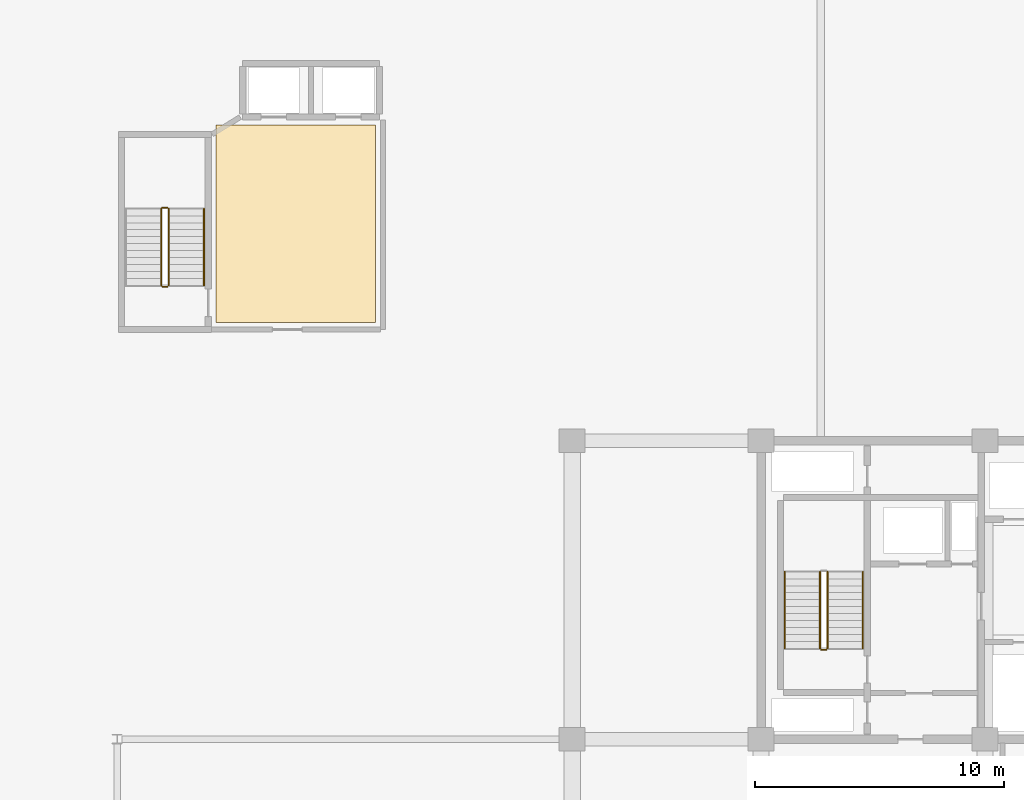
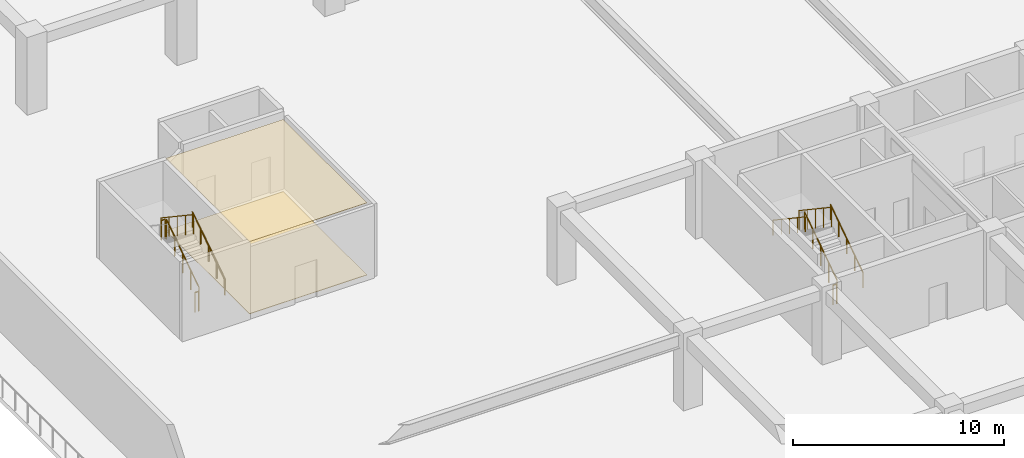
# One storey, part 33 of 43: 10 railings, 2 coverings.
"""IFC4 building model written with IfcOpenShell, lengths in metres."""

import ifcopenshell
import ifcopenshell.guid

model = None  # the IFC model being written
_history = None  # IfcOwnerHistory: only IFC2X3 demands one
_inside = {}  # id of a spatial element -> (the spatial element, [elements in it])
_under = {}  # id of a project, library or spatial element -> (it, [spatial elements below it])
_declared = {}  # id of a project -> (the project, [libraries it declares])
_typed = {}  # id of a type object -> (the type object, [elements of that type])
_made_of = {}  # id of a material, layer set ... -> (it, [elements and type objects made of it])


def new_model(schema):
    """Start an empty IFC model of exactly this schema.

    Asked for "IFC4X3", IfcOpenShell would pick the latest addendum, in which some entities
    have other attributes; the version numbers below select the first issue.
    IFC2X3 requires an IfcOwnerHistory on every rooted entity: one is made here for all.
    """
    global model, _history
    if schema == "IFC4X3":
        model = ifcopenshell.file(schema_version=(4, 3, 0, 0))
    else:
        model = ifcopenshell.file(schema=schema)
    _inside.clear()
    _under.clear()
    _declared.clear()
    _typed.clear()
    _made_of.clear()
    _history = None
    if model.schema == "IFC2X3":
        org = make("IfcOrganization", Name="unknown")
        user = make(
            "IfcPersonAndOrganization",
            ThePerson=make("IfcPerson", FamilyName="unknown"),
            TheOrganization=org,
        )
        app = make(
            "IfcApplication",
            ApplicationDeveloper=org,
            Version="unknown",
            ApplicationFullName="unknown",
            ApplicationIdentifier="unknown",
        )
        _history = make(
            "IfcOwnerHistory",
            OwningUser=user,
            OwningApplication=app,
            ChangeAction="ADDED",
            CreationDate=0,
        )
    return model


def make(cls, **values):
    """One entity of the class cls with the attributes given. An attribute that is None is left unset."""
    return model.create_entity(
        cls, **{name: value for name, value in values.items() if value is not None}
    )


def rooted(cls, **values):
    """An entity with a GlobalId (a new one), such as an element, a storey or a relation."""
    return make(cls, GlobalId=ifcopenshell.guid.new(), OwnerHistory=_history, **values)


def si_unit(unit_type, name, prefix=None):
    """IfcSIUnit, for example si_unit("LENGTHUNIT", "METRE", prefix="MILLI")."""
    return make("IfcSIUnit", UnitType=unit_type, Prefix=prefix, Name=name)


def assignment(units):
    """IfcUnitAssignment: the units of a project."""
    return None if units is None else make("IfcUnitAssignment", Units=units)


def point(xyz):
    """IfcCartesianPoint."""
    return None if xyz is None else make("IfcCartesianPoint", Coordinates=xyz)


def direction(xyz):
    """IfcDirection."""
    return None if xyz is None else make("IfcDirection", DirectionRatios=xyz)


def frame(location, z_axis=None, x_axis=None):
    """IfcAxis2Placement3D, a coordinate frame: its origin and axes. An axis left out is left unset."""
    return make(
        "IfcAxis2Placement3D",
        Location=point(location),
        Axis=direction(z_axis),
        RefDirection=direction(x_axis),
    )


def frame_2d(location, x_axis=None):
    """IfcAxis2Placement2D, a coordinate frame in the plane: its origin and x axis."""
    return make(
        "IfcAxis2Placement2D", Location=point(location), RefDirection=direction(x_axis)
    )


def origin():
    """The frame at (0, 0, 0) with its axes left unset."""
    return frame((0.0, 0.0, 0.0))


def origin_2d():
    """The frame at (0, 0) in the plane with its x axis left unset."""
    return frame_2d((0.0, 0.0))


def place(relative_to, where):
    """IfcLocalPlacement: puts the frame where relative to a parent placement (None: the world)."""
    return make(
        "IfcLocalPlacement", PlacementRelTo=relative_to, RelativePlacement=where
    )


def context(
    kind, dimensions, precision=None, world=None, true_north=None, identifier=None
):
    """IfcGeometricRepresentationContext, for example the 3D "Model" context."""
    return make(
        "IfcGeometricRepresentationContext",
        ContextIdentifier=identifier,
        ContextType=kind,
        CoordinateSpaceDimension=dimensions,
        Precision=precision,
        WorldCoordinateSystem=world,
        TrueNorth=true_north,
    )


def subcontext(parent, identifier, kind, view, scale=None):
    """IfcGeometricRepresentationSubContext, for example "Body" below "Model"."""
    return make(
        "IfcGeometricRepresentationSubContext",
        ContextIdentifier=identifier,
        ContextType=kind,
        ParentContext=parent,
        TargetScale=scale,
        TargetView=view,
    )


def project(units=None, contexts=None):
    """IfcProject with its units and contexts."""
    return rooted(
        "IfcProject",
        Name="project",
        RepresentationContexts=contexts,
        UnitsInContext=assignment(units),
    )


def spatial(cls, under=None, at=None, **own):
    """A site, building, storey or space (cls), placed at a placement, below another one or the project."""
    s = rooted(cls, ObjectPlacement=at, **own)
    if under is not None:
        _under.setdefault(under.id(), (under, []))[1].append(s)
    return s


def polyline(points):
    """IfcPolyline through the points."""
    return make("IfcPolyline", Points=[point(p) for p in points])


def profile(cls, at=None, kind="AREA", **sizes):
    """A parametric profile (cls). Its sizes go by their IFC names, for example OverallWidth=200.0."""
    return make(cls, ProfileType=kind, Position=at, **sizes)


def circle(**sizes):
    """IfcCircleProfileDef."""
    return profile("IfcCircleProfileDef", **sizes)


def outline(outer, holes=None, kind="AREA"):
    """IfcArbitraryClosedProfileDef: a profile drawn as a closed curve; with holes, ...WithVoids."""
    if holes is None:
        return make("IfcArbitraryClosedProfileDef", ProfileType=kind, OuterCurve=outer)
    return make(
        "IfcArbitraryProfileDefWithVoids",
        ProfileType=kind,
        OuterCurve=outer,
        InnerCurves=holes,
    )


def extrude(swept, where, along, depth):
    """IfcExtrudedAreaSolid: the profile swept, set in the frame where, extruded along a direction by depth."""
    return make(
        "IfcExtrudedAreaSolid",
        SweptArea=swept,
        Position=where,
        ExtrudedDirection=direction(along),
        Depth=depth,
    )


def shape(context_of_items, identifier, shape_type, items):
    """IfcShapeRepresentation: the items that make up one representation, for example the "Body"."""
    return make(
        "IfcShapeRepresentation",
        ContextOfItems=context_of_items,
        RepresentationIdentifier=identifier,
        RepresentationType=shape_type,
        Items=items,
    )


def material(Name=None, Category=None):
    """IfcMaterial."""
    return make("IfcMaterial", Name=Name, Category=Category)


def layer(
    of_material, thickness, ventilated=None, Name=None, Category=None, Priority=None
):
    """IfcMaterialLayer: one layer of a wall or slab, of a material (None: an air gap)."""
    return make(
        "IfcMaterialLayer",
        Material=of_material,
        LayerThickness=thickness,
        IsVentilated=ventilated,
        Name=Name,
        Category=Category,
        Priority=Priority,
    )


def layer_set(layers, Name=None):
    """IfcMaterialLayerSet."""
    return make("IfcMaterialLayerSet", MaterialLayers=layers, LayerSetName=Name)


def made_of(thing, what):
    """Note that an element or type object is made of a material, layer set ...; save() writes the relation."""
    if what is not None:
        _made_of.setdefault(what.id(), (what, []))[1].append(thing)
    return thing


def type_object(cls, material=None, **own):
    """A type object (cls), such as IfcWallType, which elements share."""
    return made_of(rooted(cls, **own), material)


def element(
    cls,
    number,
    at=None,
    inside=None,
    cuts=None,
    type_object=None,
    material=None,
    context=None,
    identifier="Body",
    shape_type=None,
    held_by="IfcProductDefinitionShape",
    body=None,
    shapes=None,
    **own,
):
    """One element of the class cls, such as IfcWall. Its Tag is "e" and its number.

    at: its placement. inside: the storey or other place that contains it. cuts: it is an
    opening in that element (IfcRelVoidsElement). A single representation is given by context,
    identifier, shape_type and body (its items); several are given by shapes. held_by: the class
    of the entity that holds the representations. save() writes the other relations.
    """
    e = rooted(cls, Tag="e%d" % number, ObjectPlacement=at, **own)
    if body is not None:
        shapes = [shape(context, identifier, shape_type, body)]
    if shapes is not None:
        e.Representation = make(held_by, Representations=shapes)
    if inside is not None:
        _inside.setdefault(inside.id(), (inside, []))[1].append(e)
    if cuts is not None:
        rooted(
            "IfcRelVoidsElement", RelatingBuildingElement=cuts, RelatedOpeningElement=e
        )
    if type_object is not None:
        _typed.setdefault(type_object.id(), (type_object, []))[1].append(e)
    return made_of(e, material)


def aggregate(whole, parts):
    """IfcRelAggregates: a whole, such as a stair, and the parts it consists of."""
    return rooted("IfcRelAggregates", RelatingObject=whole, RelatedObjects=parts)


def save(model, path):
    """Write the relations noted so far, then the file.

    IfcRelAggregates (storeys below a building ...), IfcRelContainedInSpatialStructure (elements
    in a storey), IfcRelDefinesByType, IfcRelAssociatesMaterial and IfcRelDeclares: one each for
    every whole, place, type object, material and project.
    """
    for whole, parts in _under.values():
        aggregate(whole, parts)
    for where, things in _inside.values():
        rooted(
            "IfcRelContainedInSpatialStructure",
            RelatedElements=things,
            RelatingStructure=where,
        )
    for kind, things in _typed.values():
        rooted("IfcRelDefinesByType", RelatedObjects=things, RelatingType=kind)
    for what, things in _made_of.values():
        rooted("IfcRelAssociatesMaterial", RelatedObjects=things, RelatingMaterial=what)
    for by, libraries in _declared.values():
        rooted("IfcRelDeclares", RelatingContext=by, RelatedDefinitions=libraries)
    model.write(path)


model = new_model("IFC4")

# Units and contexts
model_context = context("Model", 3, precision=1e-05, world=origin(), true_north=direction((0.0, 1.0)))
body_context = subcontext(model_context, "Body", "Model", "MODEL_VIEW")
ifc_project = project(units=[si_unit("LENGTHUNIT", "METRE"), si_unit("AREAUNIT", "SQUARE_METRE"), si_unit("VOLUMEUNIT", "CUBIC_METRE"), si_unit("PLANEANGLEUNIT", "RADIAN"), si_unit("MASSUNIT", "GRAM", prefix="KILO")], contexts=[model_context])

# Site, building, storey
site_placement = place(None, origin())
site = spatial("IfcSite", under=ifc_project, at=site_placement, CompositionType="ELEMENT")
building_placement = place(site_placement, origin())
building = spatial("IfcBuilding", under=site, at=building_placement, Name="Korimba Cascade Residences", CompositionType="ELEMENT")
storey_placement = place(building_placement, frame((0.0, 0.0, 10.0)))
storey = spatial("IfcBuildingStorey", under=building, at=storey_placement, Name="L02", CompositionType="ELEMENT", Elevation=10.0)

# Coverings
ifc_material_1 = material(Name="Perforated Acoustic Gypsum Ceiling", Category="gypsum")
ifc_layer_1 = layer(ifc_material_1, 0.02490234375)
ifc_layer_set_1 = layer_set([ifc_layer_1], Name="Perforated Acoustic Gypsum Ceiling")
covering_type_1 = type_object("IfcCoveringType", Name="COV-CLG-AC", PredefinedType="CEILING", material=ifc_layer_set_1)
covering_1_placement = place(storey_placement, frame((0.0, 0.0, 4.175048828125)))
element("IfcCovering", 1, at=covering_1_placement, inside=storey, type_object=covering_type_1, Name="L02 Suspended Acoustic Ceiling L02-PLW", PredefinedType="CEILING", context=body_context, shape_type="SweptSolid", body=[
    extrude(outline(polyline([(60.169921875, 35.14990234375), (66.60009765625, 35.14990234375), (66.60009765625, 43.10009765625), (60.169921875, 43.10009765625), (60.169921875, 35.14990234375)])), origin(), (0.0, 0.0, 1.0), 0.02490234375),
])
ifc_material_2 = material(Name="Honed Travertine Stone Flooring", Category="masonry")
ifc_layer_2 = layer(ifc_material_2, 0.02490234375)
ifc_layer_set_2 = layer_set([ifc_layer_2], Name="Honed Travertine Stone Flooring")
covering_type_2 = type_object("IfcCoveringType", Name="COV-FLR-STN", PredefinedType="FLOORING", material=ifc_layer_set_2)
covering_2_placement = place(storey_placement, origin())
element("IfcCovering", 2, at=covering_2_placement, inside=storey, type_object=covering_type_2, Name="L02 Honed Travertine Stone Flooring L02-PLW", PredefinedType="FLOORING", context=body_context, shape_type="SweptSolid", body=[
    extrude(outline(polyline([(60.169921875, 35.14990234375), (66.60009765625, 35.14990234375), (66.60009765625, 43.10009765625), (60.169921875, 43.10009765625), (60.169921875, 35.14990234375)])), origin(), (0.0, 0.0, 1.0), 0.02490234375),
])

# Railings
ifc_material_3 = material(Name="Painted Steel Stairwell Guardrail", Category="steel")
railing_type_1 = type_object("IfcRailingType", Name="RLG-ST-GD1150", PredefinedType="GUARDRAIL", material=ifc_material_3)
railing_1_placement = place(storey_placement, frame((84.77001953125, 22.050048828125, 0.1875)))
element("IfcRailing", 3, at=railing_1_placement, inside=storey, type_object=railing_type_1, Name="L02 ST-E1 stair guard 1", PredefinedType="GUARDRAIL", context=body_context, shape_type="SweptSolid", body=[
    extrude(circle(Radius=0.02392578125, at=origin_2d()), frame((0.0, 0.0, 1.1259765625), z_axis=(0.0, 0.830893310487, 0.556431762742), x_axis=(-1.0, 0.0, 0.0)), (0.0, 0.0, 1.0), 3.70654296875),
    extrude(circle(Radius=0.02099609375, at=origin_2d()), origin(), (0.0, 0.0, 1.0), 1.101806640625),
    extrude(circle(Radius=0.02099609375, at=origin_2d()), frame((0.0, 0.77001953125, 0.515625)), (0.0, 0.0, 1.0), 1.101806640625),
    extrude(circle(Radius=0.02099609375, at=origin_2d()), frame((0.0, 1.5400390625, 1.03125)), (0.0, 0.0, 1.0), 1.101806640625),
    extrude(circle(Radius=0.02099609375, at=origin_2d()), frame((0.0, 2.309814453125, 1.546875)), (0.0, 0.0, 1.0), 1.101806640625),
    extrude(circle(Radius=0.02099609375, at=origin_2d()), frame((0.0, 3.079833984375, 2.0625)), (0.0, 0.0, 1.0), 1.101806640625),
])
railing_2_placement = place(storey_placement, frame((84.469970703125, 25.1298828125, 2.4375)))
element("IfcRailing", 4, at=railing_2_placement, inside=storey, type_object=railing_type_1, Name="L02 ST-E1 stair guard 3", PredefinedType="GUARDRAIL", context=body_context, shape_type="SweptSolid", body=[
    extrude(circle(Radius=0.02392578125, at=origin_2d()), frame((0.0, 0.0, 1.1259765625), z_axis=(0.0, -0.830893310487, 0.556431762742), x_axis=(1.0, 0.0, 0.0)), (0.0, 0.0, 1.0), 3.70654296875),
    extrude(circle(Radius=0.02099609375, at=origin_2d()), origin(), (0.0, 0.0, 1.0), 1.101806640625),
    extrude(circle(Radius=0.02099609375, at=origin_2d()), frame((0.0, -0.77001953125, 0.515625)), (0.0, 0.0, 1.0), 1.101806640625),
    extrude(circle(Radius=0.02099609375, at=origin_2d()), frame((0.0, -1.5400390625, 1.03125)), (0.0, 0.0, 1.0), 1.101806640625),
    extrude(circle(Radius=0.02099609375, at=origin_2d()), frame((0.0, -2.309814453125, 1.546875)), (0.0, 0.0, 1.0), 1.101806640625),
    extrude(circle(Radius=0.02099609375, at=origin_2d()), frame((0.0, -3.079833984375, 2.0625)), (0.0, 0.0, 1.0), 1.101806640625),
])
railing_3_placement = place(storey_placement, frame((84.719970703125, 22.0, 0.0)))
element("IfcRailing", 5, at=railing_3_placement, inside=storey, type_object=railing_type_1, Name="L02 ST-E1 stair guard 4", PredefinedType="GUARDRAIL", context=body_context, shape_type="SweptSolid", body=[
    extrude(circle(Radius=0.02392578125, at=origin_2d()), frame((0.0, 0.0, 1.1259765625), z_axis=(-1.0, 0.0, 0.0), x_axis=(0.0, -1.0, 0.0)), (0.0, 0.0, 1.0), 0.199951171875),
    extrude(circle(Radius=0.02099609375, at=origin_2d()), origin(), (0.0, 0.0, 1.0), 1.101806640625),
    extrude(circle(Radius=0.02099609375, at=origin_2d()), frame((-0.199951171875, 0.0, 0.0)), (0.0, 0.0, 1.0), 1.101806640625),
])
railing_4_placement = place(storey_placement, frame((58.27001953125, 36.64990234375, 0.1875)))
element("IfcRailing", 6, at=railing_4_placement, inside=storey, type_object=railing_type_1, Name="L02 ST-P1 stair guard 1", PredefinedType="GUARDRAIL", context=body_context, shape_type="SweptSolid", body=[
    extrude(circle(Radius=0.02392578125, at=origin_2d()), frame((0.0, 0.0, 1.1259765625), z_axis=(0.0, 0.830913701846, 0.55640131208), x_axis=(-1.0, 0.0, 0.0)), (0.0, 0.0, 1.0), 3.706787109375),
    extrude(circle(Radius=0.02099609375, at=origin_2d()), origin(), (0.0, 0.0, 1.0), 1.101806640625),
    extrude(circle(Radius=0.02099609375, at=origin_2d()), frame((0.0, 0.77001953125, 0.515625)), (0.0, 0.0, 1.0), 1.101806640625),
    extrude(circle(Radius=0.02099609375, at=origin_2d()), frame((0.0, 1.5400390625, 1.03125)), (0.0, 0.0, 1.0), 1.101806640625),
    extrude(circle(Radius=0.02099609375, at=origin_2d()), frame((0.0, 2.31005859375, 1.546875)), (0.0, 0.0, 1.0), 1.101806640625),
    extrude(circle(Radius=0.02099609375, at=origin_2d()), frame((0.0, 3.080078125, 2.0625)), (0.0, 0.0, 1.0), 1.101806640625),
])
railing_5_placement = place(storey_placement, frame((58.219970703125, 39.780029296875, 2.25)))
element("IfcRailing", 7, at=railing_5_placement, inside=storey, type_object=railing_type_1, Name="L02 ST-P1 stair guard 2", PredefinedType="GUARDRAIL", context=body_context, shape_type="SweptSolid", body=[
    extrude(circle(Radius=0.02392578125, at=origin_2d()), frame((0.0, 0.0, 1.1259765625), z_axis=(-1.0, 0.0, 0.0), x_axis=(0.0, -1.0, 0.0)), (0.0, 0.0, 1.0), 0.199951171875),
    extrude(circle(Radius=0.02099609375, at=origin_2d()), origin(), (0.0, 0.0, 1.0), 1.101806640625),
    extrude(circle(Radius=0.02099609375, at=origin_2d()), frame((-0.199951171875, 0.0, 0.0)), (0.0, 0.0, 1.0), 1.101806640625),
])
railing_6_placement = place(storey_placement, frame((57.969970703125, 39.72998046875, 2.4375)))
element("IfcRailing", 8, at=railing_6_placement, inside=storey, type_object=railing_type_1, Name="L02 ST-P1 stair guard 3", PredefinedType="GUARDRAIL", context=body_context, shape_type="SweptSolid", body=[
    extrude(circle(Radius=0.02392578125, at=origin_2d()), frame((0.0, 0.0, 1.1259765625), z_axis=(0.0, -0.830913701846, 0.55640131208), x_axis=(1.0, 0.0, 0.0)), (0.0, 0.0, 1.0), 3.706787109375),
    extrude(circle(Radius=0.02099609375, at=origin_2d()), origin(), (0.0, 0.0, 1.0), 1.101806640625),
    extrude(circle(Radius=0.02099609375, at=origin_2d()), frame((0.0, -0.77001953125, 0.515625)), (0.0, 0.0, 1.0), 1.101806640625),
    extrude(circle(Radius=0.02099609375, at=origin_2d()), frame((0.0, -1.5400390625, 1.03125)), (0.0, 0.0, 1.0), 1.101806640625),
    extrude(circle(Radius=0.02099609375, at=origin_2d()), frame((0.0, -2.31005859375, 1.546875)), (0.0, 0.0, 1.0), 1.101806640625),
    extrude(circle(Radius=0.02099609375, at=origin_2d()), frame((0.0, -3.080078125, 2.0625)), (0.0, 0.0, 1.0), 1.101806640625),
])
railing_7_placement = place(storey_placement, frame((58.219970703125, 36.60009765625, 0.0)))
element("IfcRailing", 9, at=railing_7_placement, inside=storey, type_object=railing_type_1, Name="L02 ST-P1 stair guard 4", PredefinedType="GUARDRAIL", context=body_context, shape_type="SweptSolid", body=[
    extrude(circle(Radius=0.02392578125, at=origin_2d()), frame((0.0, 0.0, 1.1259765625), z_axis=(-1.0, 0.0, 0.0), x_axis=(0.0, -1.0, 0.0)), (0.0, 0.0, 1.0), 0.199951171875),
    extrude(circle(Radius=0.02099609375, at=origin_2d()), origin(), (0.0, 0.0, 1.0), 1.101806640625),
    extrude(circle(Radius=0.02099609375, at=origin_2d()), frame((-0.199951171875, 0.0, 0.0)), (0.0, 0.0, 1.0), 1.101806640625),
])
ifc_material_4 = material(Name="Brushed Stainless Steel Handrail", Category="steel")
railing_type_2 = type_object("IfcRailingType", Name="RLG-ST-HR900", PredefinedType="HANDRAIL", material=ifc_material_4)
railing_8_placement = place(storey_placement, frame((86.18994140625, 22.050048828125, 0.379150390625)))
element("IfcRailing", 10, at=railing_8_placement, inside=storey, type_object=railing_type_2, Name="L02 ST-E1 stair handrail 1", PredefinedType="HANDRAIL", context=body_context, shape_type="SweptSolid", body=[
    extrude(circle(Radius=0.02392578125, at=origin_2d()), frame((0.0, 0.0, 0.8759765625), z_axis=(0.0, 0.830893310487, 0.556431762742), x_axis=(-1.0, 0.0, 0.0)), (0.0, 0.0, 1.0), 3.70654296875),
    extrude(circle(Radius=0.02099609375, at=origin_2d()), origin(), (0.0, 0.0, 1.0), 0.851806640625),
    extrude(circle(Radius=0.02099609375, at=origin_2d()), frame((0.0, 0.77001953125, 0.515625)), (0.0, 0.0, 1.0), 0.851806640625),
    extrude(circle(Radius=0.02099609375, at=origin_2d()), frame((0.0, 1.5400390625, 1.03125)), (0.0, 0.0, 1.0), 0.851806640625),
    extrude(circle(Radius=0.02099609375, at=origin_2d()), frame((0.0, 2.309814453125, 1.546875)), (0.0, 0.0, 1.0), 0.851806640625),
    extrude(circle(Radius=0.02099609375, at=origin_2d()), frame((0.0, 3.079833984375, 2.0625)), (0.0, 0.0, 1.0), 0.851806640625),
])
railing_9_placement = place(storey_placement, frame((83.050048828125, 25.1298828125, 2.629150390625)))
element("IfcRailing", 11, at=railing_9_placement, inside=storey, type_object=railing_type_2, Name="L02 ST-E1 stair handrail 2", PredefinedType="HANDRAIL", context=body_context, shape_type="SweptSolid", body=[
    extrude(circle(Radius=0.02392578125, at=origin_2d()), frame((0.0, 0.0, 0.8759765625), z_axis=(0.0, -0.830893310487, 0.556431762742), x_axis=(1.0, 0.0, 0.0)), (0.0, 0.0, 1.0), 3.70654296875),
    extrude(circle(Radius=0.02099609375, at=origin_2d()), origin(), (0.0, 0.0, 1.0), 0.851806640625),
    extrude(circle(Radius=0.02099609375, at=origin_2d()), frame((0.0, -0.77001953125, 0.515625)), (0.0, 0.0, 1.0), 0.851806640625),
    extrude(circle(Radius=0.02099609375, at=origin_2d()), frame((0.0, -1.5400390625, 1.03125)), (0.0, 0.0, 1.0), 0.851806640625),
    extrude(circle(Radius=0.02099609375, at=origin_2d()), frame((0.0, -2.309814453125, 1.546875)), (0.0, 0.0, 1.0), 0.851806640625),
    extrude(circle(Radius=0.02099609375, at=origin_2d()), frame((0.0, -3.079833984375, 2.0625)), (0.0, 0.0, 1.0), 0.851806640625),
])
railing_10_placement = place(storey_placement, frame((59.68994140625, 36.64990234375, 0.379150390625)))
element("IfcRailing", 12, at=railing_10_placement, inside=storey, type_object=railing_type_2, Name="L02 ST-P1 stair handrail 1", PredefinedType="HANDRAIL", context=body_context, shape_type="SweptSolid", body=[
    extrude(circle(Radius=0.02392578125, at=origin_2d()), frame((0.0, 0.0, 0.8759765625), z_axis=(0.0, 0.830913701846, 0.55640131208), x_axis=(-1.0, 0.0, 0.0)), (0.0, 0.0, 1.0), 3.706787109375),
    extrude(circle(Radius=0.02099609375, at=origin_2d()), origin(), (0.0, 0.0, 1.0), 0.851806640625),
    extrude(circle(Radius=0.02099609375, at=origin_2d()), frame((0.0, 0.77001953125, 0.515625)), (0.0, 0.0, 1.0), 0.851806640625),
    extrude(circle(Radius=0.02099609375, at=origin_2d()), frame((0.0, 1.5400390625, 1.03125)), (0.0, 0.0, 1.0), 0.851806640625),
    extrude(circle(Radius=0.02099609375, at=origin_2d()), frame((0.0, 2.31005859375, 1.546875)), (0.0, 0.0, 1.0), 0.851806640625),
    extrude(circle(Radius=0.02099609375, at=origin_2d()), frame((0.0, 3.080078125, 2.0625)), (0.0, 0.0, 1.0), 0.851806640625),
])

save(model, "model.ifc")
